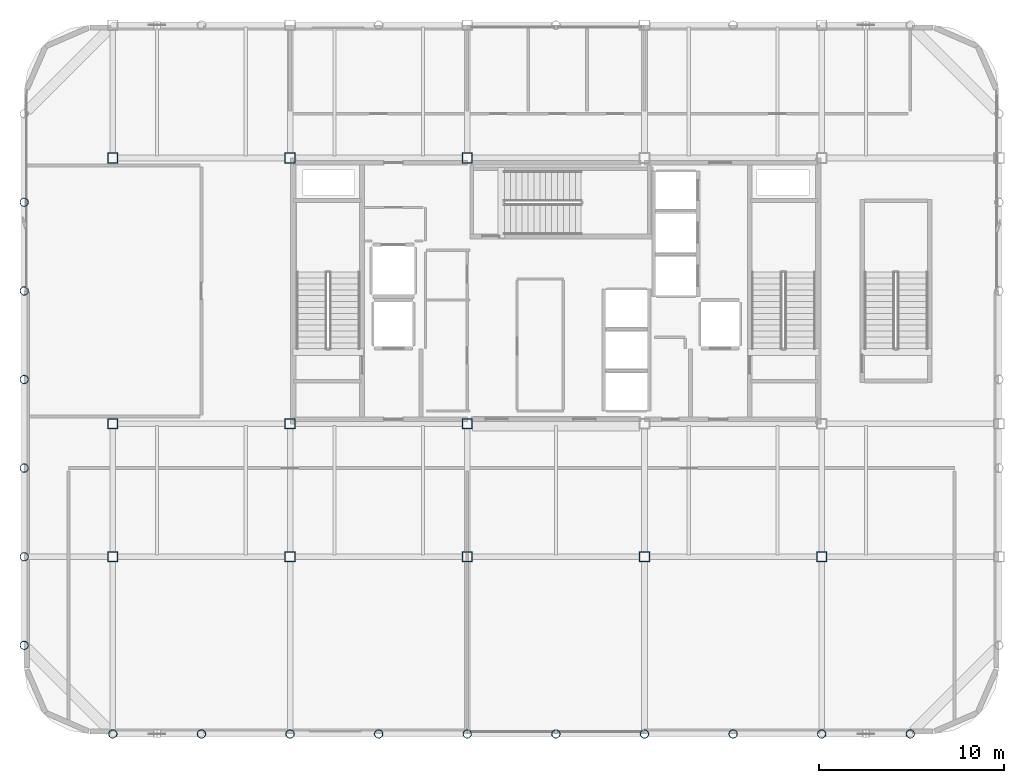
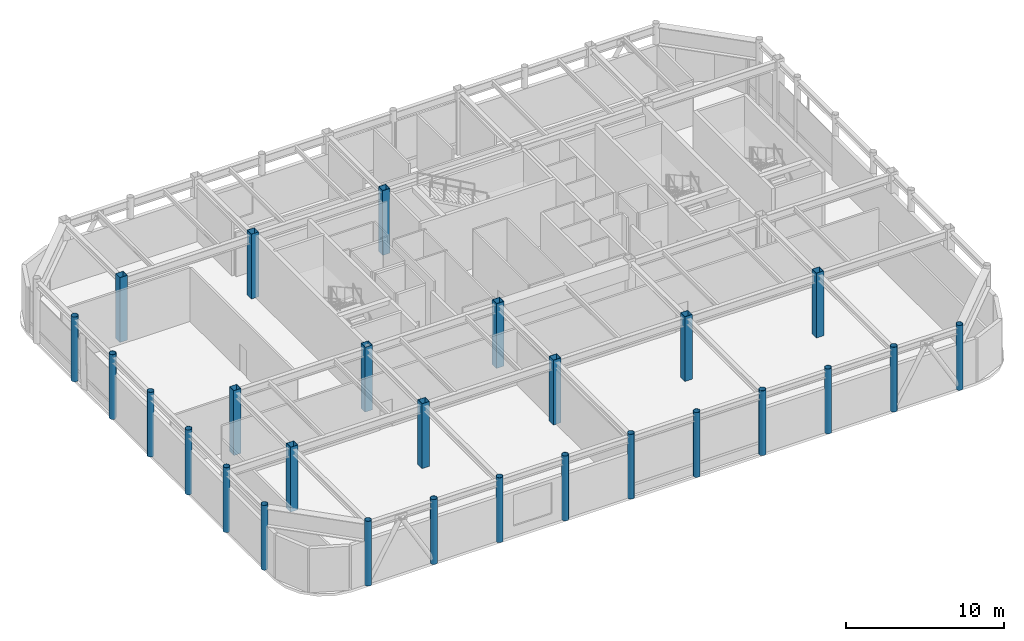
# One storey, part 1 of 21: 27 columns.
"""IFC4 building model written with IfcOpenShell, lengths in metres."""

from ifc_helpers import new_model, si_unit, direction, frame, origin, origin_2d, place, context, subcontext, project, spatial, hollow_rectangle, hollow_circle, extrude, material, material_profile, profile_set, type_object, element, save


model = new_model("IFC4")

# Units and contexts
model_context = context("Model", 3, precision=1e-05, world=origin(), true_north=direction((0.0, 1.0)))
body_context = subcontext(model_context, "Body", "Model", "MODEL_VIEW")
ifc_project = project(units=[si_unit("LENGTHUNIT", "METRE"), si_unit("AREAUNIT", "SQUARE_METRE"), si_unit("VOLUMEUNIT", "CUBIC_METRE"), si_unit("PLANEANGLEUNIT", "RADIAN"), si_unit("MASSUNIT", "GRAM", prefix="KILO")], contexts=[model_context])

# Site, building, storey
site_placement = place(None, origin())
site = spatial("IfcSite", under=ifc_project, at=site_placement, CompositionType="ELEMENT")
building_placement = place(site_placement, origin())
building = spatial("IfcBuilding", under=site, at=building_placement, Name="Kallvorn Hotel Tower", CompositionType="ELEMENT")
storey_placement = place(building_placement, frame((0.0, 0.0, 290.60009765625)))
storey = spatial("IfcBuildingStorey", under=building, at=storey_placement, Name="L72", CompositionType="ELEMENT", Elevation=290.60009765625)

# Columns
ifc_material_1 = material(Name="Structural steel S355J2H", Category="steel")
ifc_material_profile_1 = material_profile(ifc_material_1, hollow_circle(Radius=0.228515625, WallThickness=0.02001953125, at=origin_2d()), Name="CHS 457x20")
ifc_profile_set_1 = profile_set([ifc_material_profile_1], Name="Structural steel S355J2H")
column_type_1 = type_object("IfcColumnType", Name="COL_CHS_457", PredefinedType="COLUMN", material=ifc_profile_set_1)
for number, where, z_axis, x_axis, name in (
    (1, (-28.800048828125, -19.199951171875, 0.0), (0.0, 0.0, 1.0), (1.0, 0.0, 0.0), "L72 Exoskeleton Column EC01"),
    (2, (-28.800048828125, -14.39990234375, 0.0), (0.0, 0.0, 1.0), (1.0, 0.0, 0.0), "L72 Exoskeleton Column EC02"),
    (3, (-28.800048828125, -9.60009765625, 0.0), (0.0, 0.0, 1.0), (1.0, 0.0, 0.0), "L72 Exoskeleton Column EC03"),
    (4, (-28.800048828125, -4.800048828125, 0.0), (0.0, 0.0, 1.0), (1.0, 0.0, 0.0), "L72 Exoskeleton Column EC04"),
    (5, (-28.800048828125, 0.0, 0.0), (0.0, 0.0, 1.0), (1.0, 0.0, 0.0), "L72 Exoskeleton Column EC05"),
    (6, (-28.800048828125, 4.800048828125, 0.0), (0.0, 0.0, 1.0), (1.0, 0.0, 0.0), "L72 Exoskeleton Column EC06"),
    (7, (-24.0, -24.0, 0.0), (0.0, 0.0, 1.0), (1.0, 0.0, 0.0), "L72 Exoskeleton Column EC08"),
    (8, (-19.199951171875, -24.0, 0.0), (0.0, 0.0, 1.0), (1.0, 0.0, 0.0), "L72 Exoskeleton Column EC09"),
    (9, (-14.39990234375, -24.0, 0.0), (0.0, 0.0, 1.0), (1.0, 0.0, 0.0), "L72 Exoskeleton Column EC11"),
    (10, (-9.60009765625, -24.0, 0.0), (0.0, 0.0, 1.0), (1.0, 0.0, 0.0), "L72 Exoskeleton Column EC12"),
    (11, (-4.800048828125, -24.0, 0.0), (0.0, 0.0, 1.0), (1.0, 0.0, 0.0), "L72 Exoskeleton Column EC14"),
    (12, (0.0, -24.0, 0.0), (0.0, 0.0, 1.0), (1.0, 0.0, 0.0), "L72 Exoskeleton Column EC15"),
    (13, (4.800048828125, -24.0, 0.0), (0.0, 0.0, 1.0), (1.0, 0.0, 0.0), "L72 Exoskeleton Column EC17"),
    (14, (9.60009765625, -24.0, 0.0), (0.0, 0.0, 1.0), (1.0, 0.0, 0.0), "L72 Exoskeleton Column EC18"),
    (15, (14.39990234375, -24.0, 0.0), (0.0, 0.0, 1.0), (1.0, 0.0, 0.0), "L72 Exoskeleton Column EC20"),
    (16, (19.199951171875, -24.0, 0.0), (0.0, 0.0, 1.0), (1.0, 0.0, 0.0), "L72 Exoskeleton Column EC21"),
):
    element("IfcColumn", number, at=place(storey_placement, frame(where, z_axis=z_axis, x_axis=x_axis)), inside=storey, type_object=column_type_1, Name=name, PredefinedType="COLUMN", context=body_context, shape_type="SweptSolid", body=[
        extrude(hollow_circle(Radius=0.228515625, WallThickness=0.02001953125, at=origin_2d()), origin(), (0.0, 0.0, 1.0), 5.0),
    ])
ifc_material_2 = material(Name="Structural steel S355J2H", Category="steel")
ifc_material_profile_2 = material_profile(ifc_material_2, hollow_rectangle(XDim=0.550048828125, YDim=0.550048828125, WallThickness=0.02490234375, at=origin_2d()), Name="RHS 550x550x25")
ifc_profile_set_2 = profile_set([ifc_material_profile_2], Name="Structural steel S355J2H")
column_type_2 = type_object("IfcColumnType", Name="COL_RHS_550", PredefinedType="COLUMN", material=ifc_profile_set_2)
for number, where, z_axis, x_axis, name in (
    (17, (-24.0, -14.39990234375, 0.0), (0.0, 0.0, 1.0), (1.0, 0.0, 0.0), "L72 Inner Column IC01"),
    (18, (-24.0, -7.199951171875, 0.0), (0.0, 0.0, 1.0), (1.0, 0.0, 0.0), "L72 Inner Column IC02"),
    (19, (-24.0, 7.199951171875, 0.0), (0.0, 0.0, 1.0), (1.0, 0.0, 0.0), "L72 Inner Column IC03"),
    (20, (-14.39990234375, -14.39990234375, 0.0), (0.0, 0.0, 1.0), (1.0, 0.0, 0.0), "L72 Inner Column IC05"),
    (21, (-14.39990234375, -7.199951171875, 0.0), (0.0, 0.0, 1.0), (1.0, 0.0, 0.0), "L72 Inner Column IC06"),
    (22, (-14.39990234375, 7.199951171875, 0.0), (0.0, 0.0, 1.0), (1.0, 0.0, 0.0), "L72 Inner Column IC07"),
    (23, (-4.800048828125, -14.39990234375, 0.0), (0.0, 0.0, 1.0), (1.0, 0.0, 0.0), "L72 Inner Column IC09"),
    (24, (-4.800048828125, -7.199951171875, 0.0), (0.0, 0.0, 1.0), (1.0, 0.0, 0.0), "L72 Inner Column IC10"),
    (25, (-4.800048828125, 7.199951171875, 0.0), (0.0, 0.0, 1.0), (1.0, 0.0, 0.0), "L72 Inner Column IC11"),
    (26, (4.800048828125, -14.39990234375, 0.0), (0.0, 0.0, 1.0), (1.0, 0.0, 0.0), "L72 Inner Column IC13"),
    (27, (14.39990234375, -14.39990234375, 0.0), (0.0, 0.0, 1.0), (1.0, 0.0, 0.0), "L72 Inner Column IC17"),
):
    element("IfcColumn", number, at=place(storey_placement, frame(where, z_axis=z_axis, x_axis=x_axis)), inside=storey, type_object=column_type_2, Name=name, PredefinedType="COLUMN", context=body_context, shape_type="SweptSolid", body=[
        extrude(hollow_rectangle(XDim=0.550048828125, YDim=0.550048828125, WallThickness=0.02490234375, at=origin_2d()), origin(), (0.0, 0.0, 1.0), 5.0),
    ])

save(model, "model.ifc")
